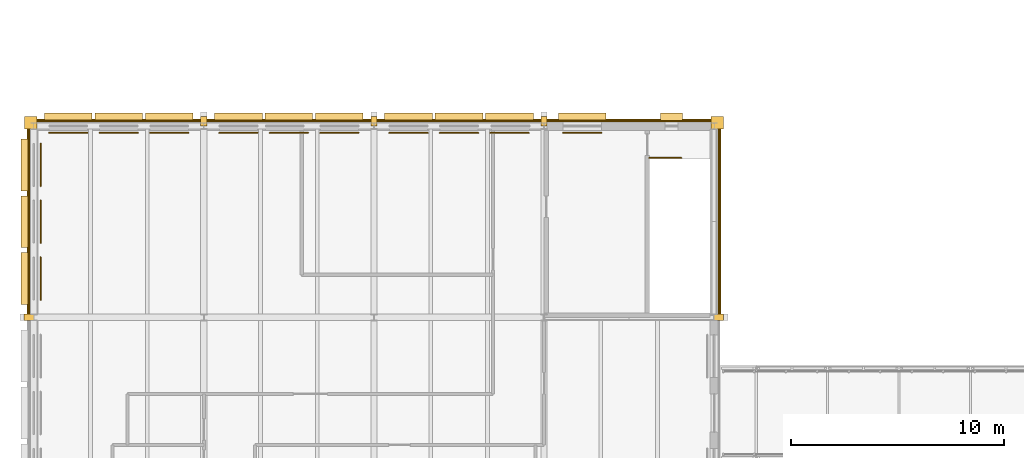
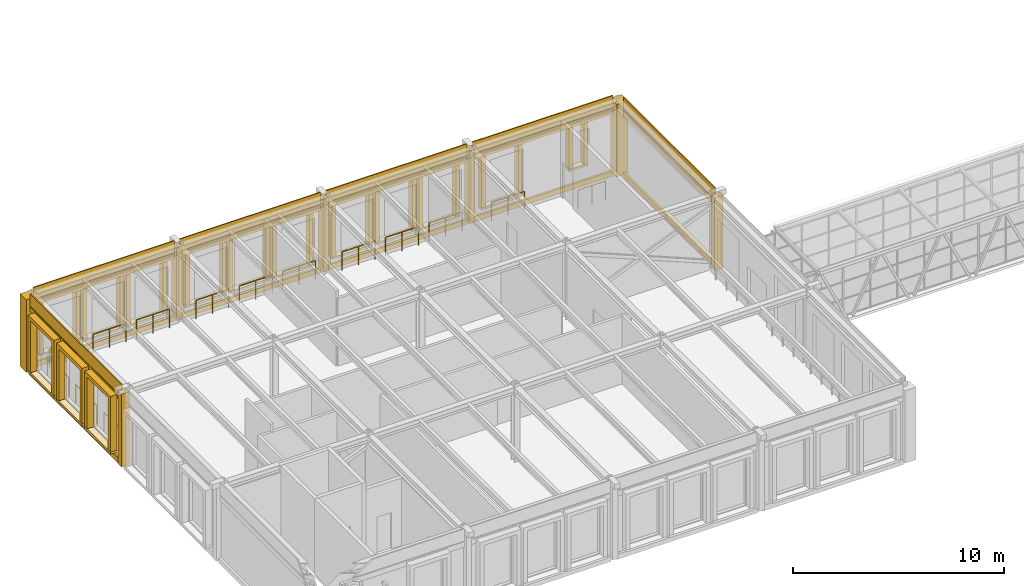
# One storey, part 139 of 149: 53 coverings, 14 railings.
"""IFC4 building model written with IfcOpenShell, lengths in metres."""

from ifc_helpers import new_model, si_unit, direction, frame, origin, origin_2d, place, context, subcontext, project, spatial, polyline, rectangle, circle, outline, extrude, material, layer, layer_set, type_object, element, save


model = new_model("IFC4")

# Units and contexts
model_context = context("Model", 3, precision=1e-05, world=origin(), true_north=direction((0.0, 1.0)))
body_context = subcontext(model_context, "Body", "Model", "MODEL_VIEW")
ifc_project = project(units=[si_unit("LENGTHUNIT", "METRE"), si_unit("AREAUNIT", "SQUARE_METRE"), si_unit("VOLUMEUNIT", "CUBIC_METRE"), si_unit("PLANEANGLEUNIT", "RADIAN"), si_unit("MASSUNIT", "GRAM", prefix="KILO")], contexts=[model_context])

# Site, building, storey
site_placement = place(None, origin())
site = spatial("IfcSite", under=ifc_project, at=site_placement, CompositionType="ELEMENT")
building_placement = place(site_placement, origin())
building = spatial("IfcBuilding", under=site, at=building_placement, Name="Kallimachos Central Library", CompositionType="ELEMENT")
storey_placement = place(building_placement, frame((0.0, 0.0, 9.89990234375)))
storey = spatial("IfcBuildingStorey", under=building, at=storey_placement, Name="L02", CompositionType="ELEMENT", Elevation=9.89990234375)

# Coverings
ifc_material_1 = material(Name="Pentelic marble window sill", Category="masonry")
ifc_layer_1 = layer(ifc_material_1, 0.35009765625)
ifc_layer_set_1 = layer_set([ifc_layer_1], Name="Attic window sill block 350")
covering_type_1 = type_object("IfcCoveringType", Name="Attic window sill block 350", PredefinedType="MOLDING", material=ifc_layer_set_1)
for number, where, z_axis, x_axis, name in (
    (1, (7.625, 114.43505859375, 0.330078125), (0.0, 0.0, 1.0), (1.0, 0.0, 0.0), "Attic window sill block"),
    (2, (10.0, 114.43505859375, 0.330078125), (0.0, 0.0, 1.0), (1.0, 0.0, 0.0), "Attic window sill block"),
    (3, (12.375, 114.43505859375, 0.330078125), (0.0, 0.0, 1.0), (1.0, 0.0, 0.0), "Attic window sill block"),
    (4, (15.625, 114.43505859375, 0.330078125), (0.0, 0.0, 1.0), (1.0, 0.0, 0.0), "Attic window sill block"),
    (5, (18.0, 114.43505859375, 0.330078125), (0.0, 0.0, 1.0), (1.0, 0.0, 0.0), "Attic window sill block"),
    (6, (20.375, 114.43505859375, 0.330078125), (0.0, 0.0, 1.0), (1.0, 0.0, 0.0), "Attic window sill block"),
    (7, (23.625, 114.43505859375, 0.330078125), (0.0, 0.0, 1.0), (1.0, 0.0, 0.0), "Attic window sill block"),
    (8, (26.0, 114.43505859375, 0.330078125), (0.0, 0.0, 1.0), (1.0, 0.0, 0.0), "Attic window sill block"),
    (9, (28.375, 114.43505859375, 0.330078125), (0.0, 0.0, 1.0), (1.0, 0.0, 0.0), "Attic window sill block"),
    (10, (31.800048828125, 114.43505859375, 0.330078125), (0.0, 0.0, 1.0), (1.0, 0.0, 0.0), "Attic window sill block"),
):
    element("IfcCovering", number, at=place(storey_placement, frame(where, z_axis=z_axis, x_axis=x_axis)), inside=storey, type_object=covering_type_1, Name=name, PredefinedType="MOLDING", context=body_context, shape_type="SweptSolid", body=[
        extrude(rectangle(XDim=2.239990234375, YDim=0.35009765625, at=origin_2d()), origin(), (0.0, 0.0, 1.0), 0.1201171875),
    ])
covering_1_placement = place(storey_placement, frame((36.0, 114.43505859375, 0.880126953125), z_axis=(0.0, 0.0, 1.0), x_axis=(1.0, 0.0, 0.0)))
element("IfcCovering", 11, at=covering_1_placement, inside=storey, type_object=covering_type_1, Name="Attic window sill block", PredefinedType="MOLDING", context=body_context, shape_type="SweptSolid", body=[
    extrude(rectangle(XDim=1.0400390625, YDim=0.35009765625, at=origin_2d()), origin(), (0.0, 0.0, 1.0), 0.1201171875),
])
for number, where, z_axis, x_axis, name in (
    (12, (5.56494140625, 106.824951171875, 0.330078125), (0.0, 0.0, 1.0), (1.0, 0.0, 0.0), "Attic window sill block"),
    (13, (5.56494140625, 109.5, 0.330078125), (0.0, 0.0, 1.0), (1.0, 0.0, 0.0), "Attic window sill block"),
    (14, (5.56494140625, 112.175048828125, 0.330078125), (0.0, 0.0, 1.0), (1.0, 0.0, 0.0), "Attic window sill block"),
):
    element("IfcCovering", number, at=place(storey_placement, frame(where, z_axis=z_axis, x_axis=x_axis)), inside=storey, type_object=covering_type_1, Name=name, PredefinedType="MOLDING", context=body_context, shape_type="SweptSolid", body=[
        extrude(rectangle(XDim=0.35009765625, YDim=2.43994140625, at=origin_2d()), origin(), (0.0, 0.0, 1.0), 0.1201171875),
    ])
ifc_material_2 = material(Name="Pentelic marble window surround", Category="masonry")
ifc_layer_2 = layer(ifc_material_2, 0.35009765625)
ifc_layer_set_2 = layer_set([ifc_layer_2], Name="Attic window surround 350")
covering_type_2 = type_object("IfcCoveringType", Name="Attic window surround 350", PredefinedType="MOLDING", material=ifc_layer_set_2)
for number, where, z_axis, x_axis, name in (
    (15, (6.5048828125, 114.610107421875, 0.4501953125), (0.0, 1.0, 0.0), (0.0, 0.0, 1.0), "Attic window surround -WIN-L02-012"),
    (16, (8.8798828125, 114.610107421875, 0.4501953125), (0.0, 1.0, 0.0), (0.0, 0.0, 1.0), "Attic window surround -WIN-L02-013"),
    (17, (11.2548828125, 114.610107421875, 0.4501953125), (0.0, 1.0, 0.0), (0.0, 0.0, 1.0), "Attic window surround -WIN-L02-014"),
    (18, (14.5048828125, 114.610107421875, 0.4501953125), (0.0, 1.0, 0.0), (0.0, 0.0, 1.0), "Attic window surround -WIN-L02-015"),
    (19, (16.8798828125, 114.610107421875, 0.4501953125), (0.0, 1.0, 0.0), (0.0, 0.0, 1.0), "Attic window surround -WIN-L02-016"),
    (20, (19.2548828125, 114.610107421875, 0.4501953125), (0.0, 1.0, 0.0), (0.0, 0.0, 1.0), "Attic window surround -WIN-L02-017"),
    (21, (22.5048828125, 114.610107421875, 0.4501953125), (0.0, 1.0, 0.0), (0.0, 0.0, 1.0), "Attic window surround -WIN-L02-018"),
    (22, (24.8798828125, 114.610107421875, 0.4501953125), (0.0, 1.0, 0.0), (0.0, 0.0, 1.0), "Attic window surround -WIN-L02-019"),
    (23, (27.2548828125, 114.610107421875, 0.4501953125), (0.0, 1.0, 0.0), (0.0, 0.0, 1.0), "Attic window surround -WIN-L02-020"),
):
    element("IfcCovering", number, at=place(storey_placement, frame(where, z_axis=z_axis, x_axis=x_axis)), inside=storey, type_object=covering_type_2, Name=name, PredefinedType="MOLDING", context=body_context, shape_type="SweptSolid", body=[
        extrude(outline(polyline([(0.0, 0.0), (3.219970703125, 0.0), (3.219970703125, 2.240234375), (0.0, 2.240234375), (0.0, 2.02001953125), (3.0, 2.02001953125), (3.0, 0.22021484375), (0.0, 0.22021484375), (0.0, 0.0)])), origin(), (0.0, 0.0, -1.0), 0.35009765625),
    ])
covering_2_placement = place(storey_placement, frame((30.679931640625, 114.610107421875, 0.4501953125), z_axis=(0.0, 1.0, 0.0), x_axis=(0.0, 0.0, 1.0)))
element("IfcCovering", 24, at=covering_2_placement, inside=storey, type_object=covering_type_2, Name="Attic window surround -WIN-L02-022", PredefinedType="MOLDING", context=body_context, shape_type="SweptSolid", body=[
    extrude(outline(polyline([(0.0, 0.0), (3.219970703125, 0.0), (3.219970703125, 2.239990234375), (0.0, 2.239990234375), (0.0, 2.02001953125), (3.0, 2.02001953125), (3.0, 0.219970703125), (0.0, 0.219970703125), (0.0, 0.0)])), origin(), (0.0, 0.0, -1.0), 0.35009765625),
])
covering_3_placement = place(storey_placement, frame((35.47998046875, 114.610107421875, 1.0), z_axis=(0.0, 1.0, 0.0), x_axis=(0.0, 0.0, 1.0)))
element("IfcCovering", 25, at=covering_3_placement, inside=storey, type_object=covering_type_2, Name="Attic window surround -WIN-L02-021", PredefinedType="MOLDING", context=body_context, shape_type="SweptSolid", body=[
    extrude(outline(polyline([(0.0, 0.0), (2.6201171875, 0.0), (2.6201171875, 1.0400390625), (0.0, 1.0400390625), (0.0, 0.820068359375), (2.400146484375, 0.820068359375), (2.400146484375, 0.219970703125), (0.0, 0.219970703125), (0.0, 0.0)])), origin(), (0.0, 0.0, -1.0), 0.35009765625),
])
for number, where, z_axis, x_axis, name in (
    (26, (5.389892578125, 105.60498046875, 0.4501953125), (-1.0, 0.0, 0.0), (0.0, 0.0, 1.0), "Attic window surround -WIN-L02-026"),
    (27, (5.389892578125, 108.280029296875, 0.4501953125), (-1.0, 0.0, 0.0), (0.0, 0.0, 1.0), "Attic window surround -WIN-L02-027"),
    (28, (5.389892578125, 110.955078125, 0.4501953125), (-1.0, 0.0, 0.0), (0.0, 0.0, 1.0), "Attic window surround -WIN-L02-028"),
):
    element("IfcCovering", number, at=place(storey_placement, frame(where, z_axis=z_axis, x_axis=x_axis)), inside=storey, type_object=covering_type_2, Name=name, PredefinedType="MOLDING", context=body_context, shape_type="SweptSolid", body=[
        extrude(outline(polyline([(0.0, 0.0), (3.219970703125, 0.0), (3.219970703125, 2.43994140625), (0.0, 2.43994140625), (0.0, 2.219970703125), (3.0, 2.219970703125), (3.0, 0.219970703125), (0.0, 0.219970703125), (0.0, 0.0)])), origin(), (0.0, 0.0, -1.0), 0.35009765625),
    ])
ifc_material_3 = material(Name="Polychrome glazed ceramic tile")
ifc_layer_3 = layer(ifc_material_3, 0.0400390625)
ifc_layer_set_3 = layer_set([ifc_layer_3], Name="Ceramic frieze band")
covering_type_3 = type_object("IfcCoveringType", Name="Ceramic frieze band", PredefinedType="CLADDING", material=ifc_layer_set_3)
for number, where, z_axis, x_axis, name in (
    (29, (10.0, 114.22998046875, 3.80029296875), (0.0, 0.0, 1.0), (1.0, 0.0, 0.0), "frieze N6"),
    (30, (18.0, 114.22998046875, 3.80029296875), (0.0, 0.0, 1.0), (1.0, 0.0, 0.0), "frieze N14"),
    (31, (26.0, 114.22998046875, 3.80029296875), (0.0, 0.0, 1.0), (1.0, 0.0, 0.0), "frieze N22"),
    (32, (34.0, 114.22998046875, 3.80029296875), (0.0, 0.0, 1.0), (1.0, 0.0, 0.0), "frieze N30"),
):
    element("IfcCovering", number, at=place(storey_placement, frame(where, z_axis=z_axis, x_axis=x_axis)), inside=storey, type_object=covering_type_3, Name=name, PredefinedType="CLADDING", context=body_context, shape_type="SweptSolid", body=[
        extrude(rectangle(XDim=7.699951171875, YDim=0.06005859375, at=origin_2d()), origin(), (0.0, 0.0, 1.0), 0.699951171875),
    ])
for number, where, z_axis, x_axis, name in (
    (33, (5.77001953125, 109.5, 3.80029296875), (0.0, 0.0, 1.0), (1.0, 0.0, 0.0), "frieze W105"),
    (34, (38.22998046875, 109.5, 3.80029296875), (0.0, 0.0, 1.0), (1.0, 0.0, 0.0), "frieze E105"),
):
    element("IfcCovering", number, at=place(storey_placement, frame(where, z_axis=z_axis, x_axis=x_axis)), inside=storey, type_object=covering_type_3, Name=name, PredefinedType="CLADDING", context=body_context, shape_type="SweptSolid", body=[
        extrude(rectangle(XDim=0.06005859375, YDim=8.699951171875, at=origin_2d()), origin(), (0.0, 0.0, 1.0), 0.699951171875),
    ])

# Railing
ifc_material_4 = material(Name="Steel S355J2", Category="steel")
railing_type_1 = type_object("IfcRailingType", Name="Stair guard 1100", PredefinedType="GUARDRAIL", material=ifc_material_4)
railing_1_placement = place(storey_placement, frame((34.949951171875, 112.5, 0.0)))
element("IfcRailing", 35, at=railing_1_placement, inside=storey, type_object=railing_type_1, Name="L02 ST6 top well guard 1", PredefinedType="GUARDRAIL", context=body_context, shape_type="SweptSolid", body=[
    extrude(circle(Radius=0.02392578125, at=origin_2d()), frame((0.0, 0.0, 1.076171875), z_axis=(1.0, 0.0, 0.0), x_axis=(0.0, 1.0, 0.0)), (0.0, 0.0, 1.0), 1.5),
    extrude(circle(Radius=0.02099609375, at=origin_2d()), origin(), (0.0, 0.0, 1.0), 1.052001953125),
    extrude(circle(Radius=0.02099609375, at=origin_2d()), frame((0.75, 0.0, 0.0)), (0.0, 0.0, 1.0), 1.052001953125),
    extrude(circle(Radius=0.02099609375, at=origin_2d()), frame((1.5, 0.0, 0.0)), (0.0, 0.0, 1.0), 1.052001953125),
])

# Coverings
ifc_material_5 = material(Name="Pentelic marble attic moulding", Category="masonry")
ifc_layer_4 = layer(ifc_material_5, 0.1201171875)
ifc_layer_set_4 = layer_set([ifc_layer_4], Name="Stone attic moulding 300")
covering_type_4 = type_object("IfcCoveringType", Name="Stone attic moulding 300", PredefinedType="MOLDING", material=ifc_layer_set_4)
for number, where, z_axis, x_axis, name in (
    (36, (10.0, 114.260009765625, -0.14990234375), (0.0, 0.0, 1.0), (1.0, 0.0, 0.0), "Stone attic moulding 300 -L02-009"),
    (37, (18.0, 114.260009765625, -0.14990234375), (0.0, 0.0, 1.0), (1.0, 0.0, 0.0), "Stone attic moulding 300 -L02-010"),
    (38, (26.0, 114.260009765625, -0.14990234375), (0.0, 0.0, 1.0), (1.0, 0.0, 0.0), "Stone attic moulding 300 -L02-011"),
    (39, (34.0, 114.260009765625, -0.14990234375), (0.0, 0.0, 1.0), (1.0, 0.0, 0.0), "Stone attic moulding 300 -L02-012"),
):
    element("IfcCovering", number, at=place(storey_placement, frame(where, z_axis=z_axis, x_axis=x_axis)), inside=storey, type_object=covering_type_4, Name=name, PredefinedType="MOLDING", context=body_context, shape_type="SweptSolid", body=[
        extrude(rectangle(XDim=7.699951171875, YDim=0.1201171875, at=origin_2d()), origin(), (0.0, 0.0, 1.0), 0.300048828125),
    ])
for number, where, z_axis, x_axis, name in (
    (40, (5.739990234375, 109.5, -0.14990234375), (0.0, 0.0, 1.0), (1.0, 0.0, 0.0), "Stone attic moulding 300 -L02-015"),
    (41, (38.260009765625, 109.5, -0.14990234375), (0.0, 0.0, 1.0), (1.0, 0.0, 0.0), "Stone attic moulding 300 -L02-018"),
):
    element("IfcCovering", number, at=place(storey_placement, frame(where, z_axis=z_axis, x_axis=x_axis)), inside=storey, type_object=covering_type_4, Name=name, PredefinedType="MOLDING", context=body_context, shape_type="SweptSolid", body=[
        extrude(rectangle(XDim=0.1201171875, YDim=8.699951171875, at=origin_2d()), origin(), (0.0, 0.0, 1.0), 0.300048828125),
    ])
ifc_material_6 = material(Name="Pentelic marble pilaster", Category="masonry")
ifc_layer_5 = layer(ifc_material_6, 0.25)
ifc_layer_set_5 = layer_set([ifc_layer_5], Name="Stone pilaster 250")
covering_type_5 = type_object("IfcCoveringType", Name="Stone pilaster 250", PredefinedType="CLADDING", material=ifc_layer_set_5)
for number, where, z_axis, x_axis, name in (
    (42, (14.0, 114.22509765625, 0.0), (0.0, 0.0, 1.0), (1.0, 0.0, 0.0), "Stone pilaster 250 -L02-009"),
    (43, (22.0, 114.22509765625, 0.0), (0.0, 0.0, 1.0), (1.0, 0.0, 0.0), "Stone pilaster 250 -L02-010"),
    (44, (30.0, 114.22509765625, 0.0), (0.0, 0.0, 1.0), (1.0, 0.0, 0.0), "Stone pilaster 250 -L02-011"),
):
    element("IfcCovering", number, at=place(storey_placement, frame(where, z_axis=z_axis, x_axis=x_axis)), inside=storey, type_object=covering_type_5, Name=name, PredefinedType="CLADDING", context=body_context, shape_type="SweptSolid", body=[
        extrude(rectangle(XDim=0.300048828125, YDim=0.449951171875, at=origin_2d()), origin(), (0.0, 0.0, 1.0), 4.199951171875),
    ])
for number, where, z_axis, x_axis, name in (
    (45, (5.77490234375, 105.0, 0.0), (0.0, 0.0, 1.0), (1.0, 0.0, 0.0), "Stone pilaster 250 -L02-014"),
    (46, (38.22509765625, 105.0, 0.0), (0.0, 0.0, 1.0), (1.0, 0.0, 0.0), "Stone pilaster 250 -L02-017"),
):
    element("IfcCovering", number, at=place(storey_placement, frame(where, z_axis=z_axis, x_axis=x_axis)), inside=storey, type_object=covering_type_5, Name=name, PredefinedType="CLADDING", context=body_context, shape_type="SweptSolid", body=[
        extrude(rectangle(XDim=0.449951171875, YDim=0.300048828125, at=origin_2d()), origin(), (0.0, 0.0, 1.0), 4.199951171875),
    ])
for number, where, z_axis, x_axis, name in (
    (47, (5.85009765625, 114.14990234375, 0.0), (0.0, 0.0, 1.0), (1.0, 0.0, 0.0), "Stone pilaster 250 corner"),
    (48, (38.14990234375, 114.14990234375, 0.0), (0.0, 0.0, 1.0), (1.0, 0.0, 0.0), "Stone pilaster 250 corner"),
):
    element("IfcCovering", number, at=place(storey_placement, frame(where, z_axis=z_axis, x_axis=x_axis)), inside=storey, type_object=covering_type_5, Name=name, PredefinedType="CLADDING", context=body_context, shape_type="SweptSolid", body=[
        extrude(rectangle(XDim=0.60009765625, YDim=0.60009765625, at=origin_2d()), origin(), (0.0, 0.0, 1.0), 4.199951171875),
    ])

# Railings
ifc_material_7 = material(Name="Wrought iron")
railing_type_2 = type_object("IfcRailingType", Name="Window guard 1100", PredefinedType="GUARDRAIL", material=ifc_material_7)
for number, where, name in (
    (49, (6.72509765625, 113.679931640625, 0.0), "Window guard"),
    (50, (9.10009765625, 113.679931640625, 0.0), "Window guard"),
    (51, (11.47509765625, 113.679931640625, 0.0), "Window guard"),
    (52, (14.72509765625, 113.679931640625, 0.0), "Window guard"),
    (53, (17.10009765625, 113.679931640625, 0.0), "Window guard"),
    (54, (19.47509765625, 113.679931640625, 0.0), "Window guard"),
    (55, (22.72509765625, 113.679931640625, 0.0), "Window guard"),
    (56, (25.10009765625, 113.679931640625, 0.0), "Window guard"),
    (57, (27.47509765625, 113.679931640625, 0.0), "Window guard"),
):
    element("IfcRailing", number, at=place(storey_placement, frame(where)), inside=storey, type_object=railing_type_2, Name=name, PredefinedType="GUARDRAIL", context=body_context, shape_type="SweptSolid", body=[
        extrude(circle(Radius=0.02392578125, at=origin_2d()), frame((0.0, 0.0, 1.076171875), z_axis=(1.0, 0.0, 0.0), x_axis=(0.0, 1.0, 0.0)), (0.0, 0.0, 1.0), 1.7998046875),
        extrude(circle(Radius=0.02099609375, at=origin_2d()), origin(), (0.0, 0.0, 1.0), 1.052001953125),
        extrude(circle(Radius=0.02099609375, at=origin_2d()), frame((0.89990234375, 0.0, 0.0)), (0.0, 0.0, 1.0), 1.052001953125),
        extrude(circle(Radius=0.02099609375, at=origin_2d()), frame((1.7998046875, 0.0, 0.0)), (0.0, 0.0, 1.0), 1.052001953125),
    ])
railing_2_placement = place(storey_placement, frame((30.89990234375, 113.679931640625, 0.0)))
element("IfcRailing", 58, at=railing_2_placement, inside=storey, type_object=railing_type_2, Name="Window guard", PredefinedType="GUARDRAIL", context=body_context, shape_type="SweptSolid", body=[
    extrude(circle(Radius=0.02392578125, at=origin_2d()), frame((0.0, 0.0, 1.076171875), z_axis=(1.0, 0.0, 0.0), x_axis=(0.0, 1.0, 0.0)), (0.0, 0.0, 1.0), 1.800048828125),
    extrude(circle(Radius=0.02099609375, at=origin_2d()), origin(), (0.0, 0.0, 1.0), 1.052001953125),
    extrude(circle(Radius=0.02099609375, at=origin_2d()), frame((0.89990234375, 0.0, 0.0)), (0.0, 0.0, 1.0), 1.052001953125),
    extrude(circle(Radius=0.02099609375, at=origin_2d()), frame((1.800048828125, 0.0, 0.0)), (0.0, 0.0, 1.0), 1.052001953125),
])
for number, where, name in (
    (59, (6.320068359375, 105.824951171875, 0.0), "Window guard"),
    (60, (6.320068359375, 108.5, 0.0), "Window guard"),
    (61, (6.320068359375, 111.175048828125, 0.0), "Window guard"),
):
    element("IfcRailing", number, at=place(storey_placement, frame(where)), inside=storey, type_object=railing_type_2, Name=name, PredefinedType="GUARDRAIL", context=body_context, shape_type="SweptSolid", body=[
        extrude(circle(Radius=0.02392578125, at=origin_2d()), frame((0.0, 0.0, 1.076171875), z_axis=(0.0, 1.0, 0.0), x_axis=(-1.0, 0.0, 0.0)), (0.0, 0.0, 1.0), 2.0),
        extrude(circle(Radius=0.02099609375, at=origin_2d()), origin(), (0.0, 0.0, 1.0), 1.052001953125),
        extrude(circle(Radius=0.02099609375, at=origin_2d()), frame((0.0, 1.0, 0.0)), (0.0, 0.0, 1.0), 1.052001953125),
        extrude(circle(Radius=0.02099609375, at=origin_2d()), frame((0.0, 2.0, 0.0)), (0.0, 0.0, 1.0), 1.052001953125),
    ])

# Coverings
ifc_material_8 = material(Name="Pentelic marble", Category="masonry")
ifc_layer_6 = layer(ifc_material_8, 0.06005859375)
ifc_layer_set_6 = layer_set([ifc_layer_6], Name="Window head band")
covering_type_6 = type_object("IfcCoveringType", Name="Window head band", PredefinedType="MOLDING", material=ifc_layer_set_6)
for number, where, z_axis, x_axis, name in (
    (62, (10.0, 114.22998046875, 3.4501953125), (0.0, 0.0, 1.0), (1.0, 0.0, 0.0), "head band N6"),
    (63, (18.0, 114.22998046875, 3.4501953125), (0.0, 0.0, 1.0), (1.0, 0.0, 0.0), "head band N14"),
    (64, (26.0, 114.22998046875, 3.4501953125), (0.0, 0.0, 1.0), (1.0, 0.0, 0.0), "head band N22"),
    (65, (34.0, 114.22998046875, 3.4501953125), (0.0, 0.0, 1.0), (1.0, 0.0, 0.0), "head band N30"),
):
    element("IfcCovering", number, at=place(storey_placement, frame(where, z_axis=z_axis, x_axis=x_axis)), inside=storey, type_object=covering_type_6, Name=name, PredefinedType="MOLDING", context=body_context, shape_type="SweptSolid", body=[
        extrude(rectangle(XDim=7.699951171875, YDim=0.06005859375, at=origin_2d()), origin(), (0.0, 0.0, 1.0), 0.300048828125),
    ])
for number, where, z_axis, x_axis, name in (
    (66, (5.77001953125, 109.5, 3.4501953125), (0.0, 0.0, 1.0), (1.0, 0.0, 0.0), "head band W105"),
    (67, (38.22998046875, 109.5, 3.4501953125), (0.0, 0.0, 1.0), (1.0, 0.0, 0.0), "head band E105"),
):
    element("IfcCovering", number, at=place(storey_placement, frame(where, z_axis=z_axis, x_axis=x_axis)), inside=storey, type_object=covering_type_6, Name=name, PredefinedType="MOLDING", context=body_context, shape_type="SweptSolid", body=[
        extrude(rectangle(XDim=0.06005859375, YDim=8.699951171875, at=origin_2d()), origin(), (0.0, 0.0, 1.0), 0.300048828125),
    ])

save(model, "model.ifc")
